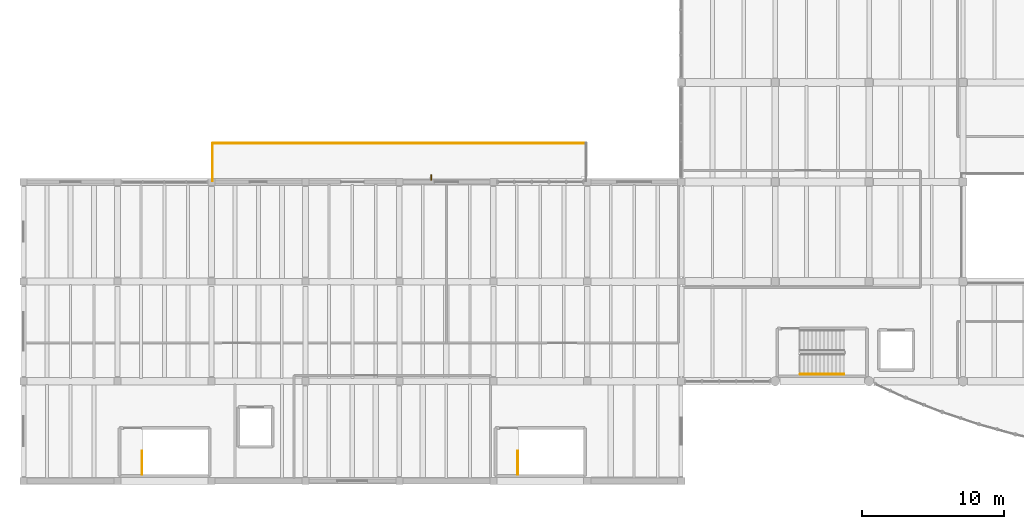
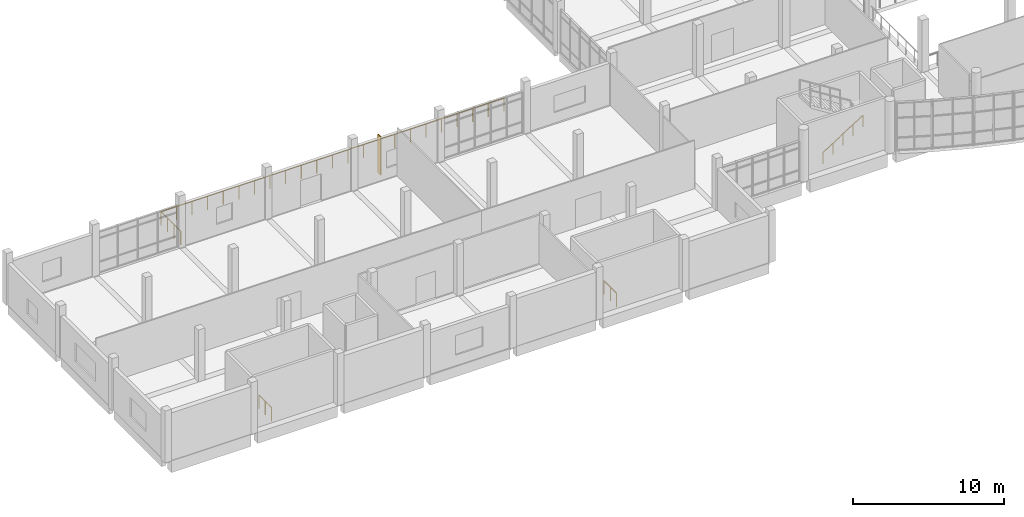
# One storey, part 57 of 65: 5 railings, 1 shading device.
"""IFC4 building model written with IfcOpenShell, lengths in metres."""

from ifc_helpers import new_model, si_unit, direction, frame, origin, origin_2d, place, context, subcontext, project, spatial, rectangle, circle, extrude, material, material_profile, profile_set, type_object, element, save


model = new_model("IFC4")

# Units and contexts
model_context = context("Model", 3, precision=1e-05, world=origin(), true_north=direction((0.0, 1.0)))
body_context = subcontext(model_context, "Body", "Model", "MODEL_VIEW")
ifc_project = project(units=[si_unit("LENGTHUNIT", "METRE"), si_unit("AREAUNIT", "SQUARE_METRE"), si_unit("VOLUMEUNIT", "CUBIC_METRE"), si_unit("PLANEANGLEUNIT", "RADIAN"), si_unit("MASSUNIT", "GRAM", prefix="KILO")], contexts=[model_context])

# Site, building, storey
site_placement = place(None, origin())
site = spatial("IfcSite", under=ifc_project, at=site_placement, CompositionType="ELEMENT")
building_placement = place(site_placement, origin())
building = spatial("IfcBuilding", under=site, at=building_placement, Name="Ciguamira Faculty of Natural Sciences", CompositionType="ELEMENT")
storey_placement = place(building_placement, frame((0.0, 0.0, 12.60009765625)))
storey = spatial("IfcBuildingStorey", under=building, at=storey_placement, Name="L03", CompositionType="ELEMENT", Elevation=12.60009765625)

# Railings
ifc_material_1 = material(Name="Stainless steel balustrade", Category="steel")
railing_type_1 = type_object("IfcRailingType", Name="Guardrail_GR01", PredefinedType="GUARDRAIL", material=ifc_material_1)
railing_1_placement = place(storey_placement, frame((17.780029296875, 24.080078125, 0.0)))
element("IfcRailing", 1, at=railing_1_placement, inside=storey, type_object=railing_type_1, Name="L03 Commons North Reading Terrace west guardrail", PredefinedType="GUARDRAIL", context=body_context, shape_type="SweptSolid", body=[
    extrude(circle(Radius=0.02392578125, at=origin_2d()), frame((0.0, 0.0, 1.076171875), z_axis=(0.0, 1.0, 0.0), x_axis=(-1.0, 0.0, 0.0)), (0.0, 0.0, 1.0), 2.639892578125),
    extrude(circle(Radius=0.02099609375, at=origin_2d()), origin(), (0.0, 0.0, 1.0), 1.052001953125),
    extrude(circle(Radius=0.02099609375, at=origin_2d()), frame((0.0, 0.8798828125, 0.0)), (0.0, 0.0, 1.0), 1.052001953125),
    extrude(circle(Radius=0.02099609375, at=origin_2d()), frame((0.0, 1.760009765625, 0.0)), (0.0, 0.0, 1.0), 1.052001953125),
    extrude(circle(Radius=0.02099609375, at=origin_2d()), frame((0.0, 2.639892578125, 0.0)), (0.0, 0.0, 1.0), 1.052001953125),
])
railing_2_placement = place(storey_placement, frame((17.780029296875, 26.719970703125, 0.0)))
element("IfcRailing", 2, at=railing_2_placement, inside=storey, type_object=railing_type_1, Name="L03 Commons North Reading Terrace north guardrail", PredefinedType="GUARDRAIL", context=body_context, shape_type="SweptSolid", body=[
    extrude(circle(Radius=0.02392578125, at=origin_2d()), frame((0.0, 0.0, 1.076171875), z_axis=(1.0, 0.0, 0.0), x_axis=(0.0, 1.0, 0.0)), (0.0, 0.0, 1.0), 26.239990234375),
    extrude(circle(Radius=0.02099609375, at=origin_2d()), origin(), (0.0, 0.0, 1.0), 1.052001953125),
    extrude(circle(Radius=0.02099609375, at=origin_2d()), frame((1.192626953125, 0.0, 0.0)), (0.0, 0.0, 1.0), 1.052001953125),
    extrude(circle(Radius=0.02099609375, at=origin_2d()), frame((2.385498046875, 0.0, 0.0)), (0.0, 0.0, 1.0), 1.052001953125),
    extrude(circle(Radius=0.02099609375, at=origin_2d()), frame((3.578125, 0.0, 0.0)), (0.0, 0.0, 1.0), 1.052001953125),
    extrude(circle(Radius=0.02099609375, at=origin_2d()), frame((4.77099609375, 0.0, 0.0)), (0.0, 0.0, 1.0), 1.052001953125),
    extrude(circle(Radius=0.02099609375, at=origin_2d()), frame((5.963623046875, 0.0, 0.0)), (0.0, 0.0, 1.0), 1.052001953125),
    extrude(circle(Radius=0.02099609375, at=origin_2d()), frame((7.15625, 0.0, 0.0)), (0.0, 0.0, 1.0), 1.052001953125),
    extrude(circle(Radius=0.02099609375, at=origin_2d()), frame((8.34912109375, 0.0, 0.0)), (0.0, 0.0, 1.0), 1.052001953125),
    extrude(circle(Radius=0.02099609375, at=origin_2d()), frame((9.541748046875, 0.0, 0.0)), (0.0, 0.0, 1.0), 1.052001953125),
    extrude(circle(Radius=0.02099609375, at=origin_2d()), frame((10.734619140625, 0.0, 0.0)), (0.0, 0.0, 1.0), 1.052001953125),
    extrude(circle(Radius=0.02099609375, at=origin_2d()), frame((11.92724609375, 0.0, 0.0)), (0.0, 0.0, 1.0), 1.052001953125),
    extrude(circle(Radius=0.02099609375, at=origin_2d()), frame((13.1201171875, 0.0, 0.0)), (0.0, 0.0, 1.0), 1.052001953125),
    extrude(circle(Radius=0.02099609375, at=origin_2d()), frame((14.312744140625, 0.0, 0.0)), (0.0, 0.0, 1.0), 1.052001953125),
    extrude(circle(Radius=0.02099609375, at=origin_2d()), frame((15.50537109375, 0.0, 0.0)), (0.0, 0.0, 1.0), 1.052001953125),
    extrude(circle(Radius=0.02099609375, at=origin_2d()), frame((16.6982421875, 0.0, 0.0)), (0.0, 0.0, 1.0), 1.052001953125),
    extrude(circle(Radius=0.02099609375, at=origin_2d()), frame((17.890869140625, 0.0, 0.0)), (0.0, 0.0, 1.0), 1.052001953125),
    extrude(circle(Radius=0.02099609375, at=origin_2d()), frame((19.083740234375, 0.0, 0.0)), (0.0, 0.0, 1.0), 1.052001953125),
    extrude(circle(Radius=0.02099609375, at=origin_2d()), frame((20.2763671875, 0.0, 0.0)), (0.0, 0.0, 1.0), 1.052001953125),
    extrude(circle(Radius=0.02099609375, at=origin_2d()), frame((21.468994140625, 0.0, 0.0)), (0.0, 0.0, 1.0), 1.052001953125),
    extrude(circle(Radius=0.02099609375, at=origin_2d()), frame((22.661865234375, 0.0, 0.0)), (0.0, 0.0, 1.0), 1.052001953125),
    extrude(circle(Radius=0.02099609375, at=origin_2d()), frame((23.8544921875, 0.0, 0.0)), (0.0, 0.0, 1.0), 1.052001953125),
    extrude(circle(Radius=0.02099609375, at=origin_2d()), frame((25.04736328125, 0.0, 0.0)), (0.0, 0.0, 1.0), 1.052001953125),
    extrude(circle(Radius=0.02099609375, at=origin_2d()), frame((26.239990234375, 0.0, 0.0)), (0.0, 0.0, 1.0), 1.052001953125),
])
for number, where, name in (
    (3, (12.81005859375, 3.449951171875, 0.0), "L03 ST-C1 top well guard 1"),
    (4, (39.2099609375, 3.449951171875, 0.0), "L03 ST-C2 top well guard 1"),
):
    element("IfcRailing", number, at=place(storey_placement, frame(where)), inside=storey, type_object=railing_type_1, Name=name, PredefinedType="GUARDRAIL", context=body_context, shape_type="SweptSolid", body=[
        extrude(circle(Radius=0.02392578125, at=origin_2d()), frame((0.0, 0.0, 1.076171875), z_axis=(0.0, 1.0, 0.0), x_axis=(-1.0, 0.0, 0.0)), (0.0, 0.0, 1.0), 1.66015625),
        extrude(circle(Radius=0.02099609375, at=origin_2d()), origin(), (0.0, 0.0, 1.0), 1.052001953125),
        extrude(circle(Radius=0.02099609375, at=origin_2d()), frame((0.0, 0.830078125, 0.0)), (0.0, 0.0, 1.0), 1.052001953125),
        extrude(circle(Radius=0.02099609375, at=origin_2d()), frame((0.0, 1.66015625, 0.0)), (0.0, 0.0, 1.0), 1.052001953125),
    ])
ifc_material_2 = material(Name="Stainless steel handrail", Category="steel")
railing_type_2 = type_object("IfcRailingType", Name="Handrail_HR01", PredefinedType="HANDRAIL", material=ifc_material_2)
railing_3_placement = place(storey_placement, frame((59.06005859375, 10.5, 0.349853515625)))
element("IfcRailing", 5, at=railing_3_placement, inside=storey, type_object=railing_type_2, Name="L03 ST-A1 stair handrail 1", PredefinedType="HANDRAIL", context=body_context, shape_type="SweptSolid", body=[
    extrude(circle(Radius=0.02392578125, at=origin_2d()), frame((0.0, 0.0, 0.89111328125), z_axis=(0.847979421464, 0.0, 0.530029150871), x_axis=(0.0, 1.0, 0.0)), (0.0, 0.0, 1.0), 3.632080078125),
    extrude(circle(Radius=0.02099609375, at=origin_2d()), origin(), (0.0, 0.0, 1.0), 0.866943359375),
    extrude(circle(Radius=0.02099609375, at=origin_2d()), frame((0.77001953125, 0.0, 0.481201171875)), (0.0, 0.0, 1.0), 0.866943359375),
    extrude(circle(Radius=0.02099609375, at=origin_2d()), frame((1.5400390625, 0.0, 0.96240234375)), (0.0, 0.0, 1.0), 0.866943359375),
    extrude(circle(Radius=0.02099609375, at=origin_2d()), frame((2.309814453125, 0.0, 1.44384765625)), (0.0, 0.0, 1.0), 0.866943359375),
    extrude(circle(Radius=0.02099609375, at=origin_2d()), frame((3.079833984375, 0.0, 1.925048828125)), (0.0, 0.0, 1.0), 0.866943359375),
])

# Shading device
ifc_material_3 = material(Name="Anodized bronze sunshade fin")
ifc_material_profile = material_profile(ifc_material_3, rectangle(XDim=0.06494140625, YDim=0.3798828125, at=origin_2d()), Name="BRZ-FIN-65X380")
ifc_profile_set = profile_set([ifc_material_profile], Name="Anodized bronze sunshade fin")
shading_device_type = type_object("IfcShadingDeviceType", Name="SunFin_SF01", PredefinedType="USERDEFINED", material=ifc_profile_set)
shading_device_placement = place(storey_placement, frame((33.125, 24.330078125, 0.199951171875), z_axis=(0.0, 0.0, 1.0), x_axis=(1.0, 0.0, 0.0)))
element("IfcShadingDevice", 6, at=shading_device_placement, inside=storey, type_object=shading_device_type, Name="L03 bronze vertical sunshade fin 0023", ObjectType="SUNSHADE FIN", PredefinedType="USERDEFINED", context=body_context, shape_type="SweptSolid", body=[
    extrude(rectangle(XDim=0.06494140625, YDim=0.3798828125, at=origin_2d()), origin(), (0.0, 0.0, 1.0), 3.114990234375),
])

save(model, "model.ifc")
